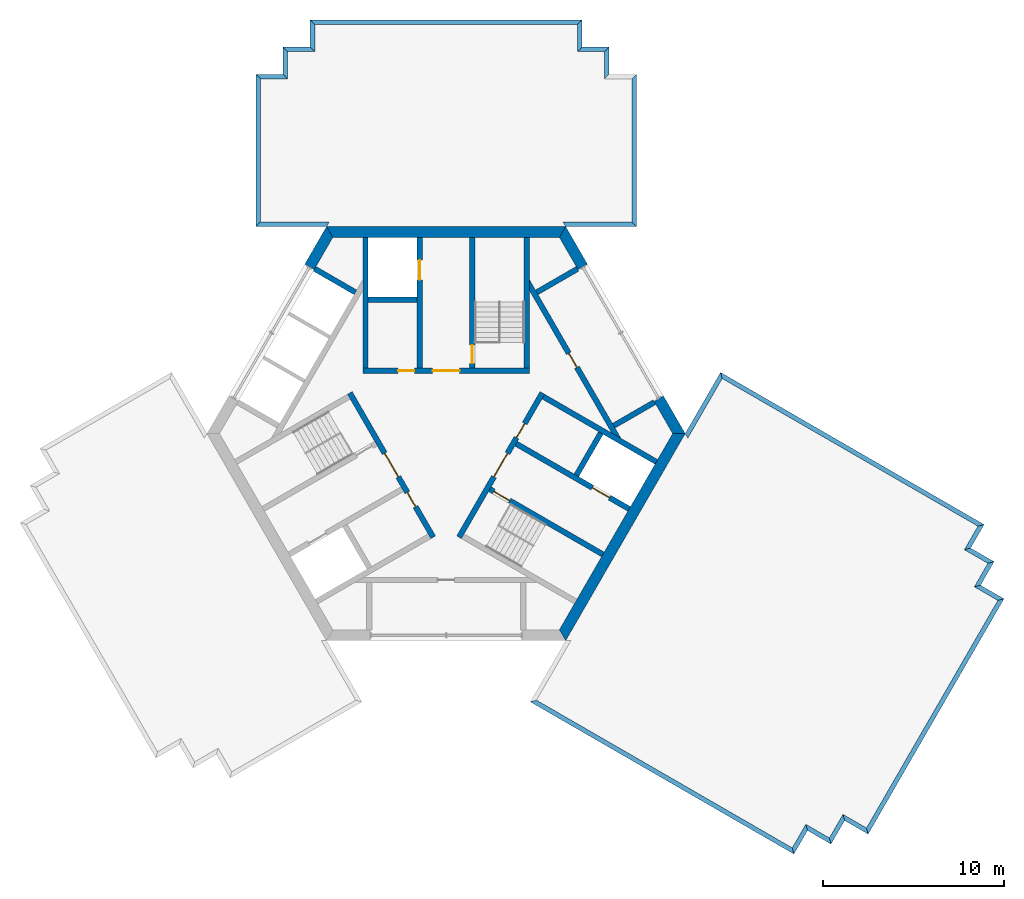
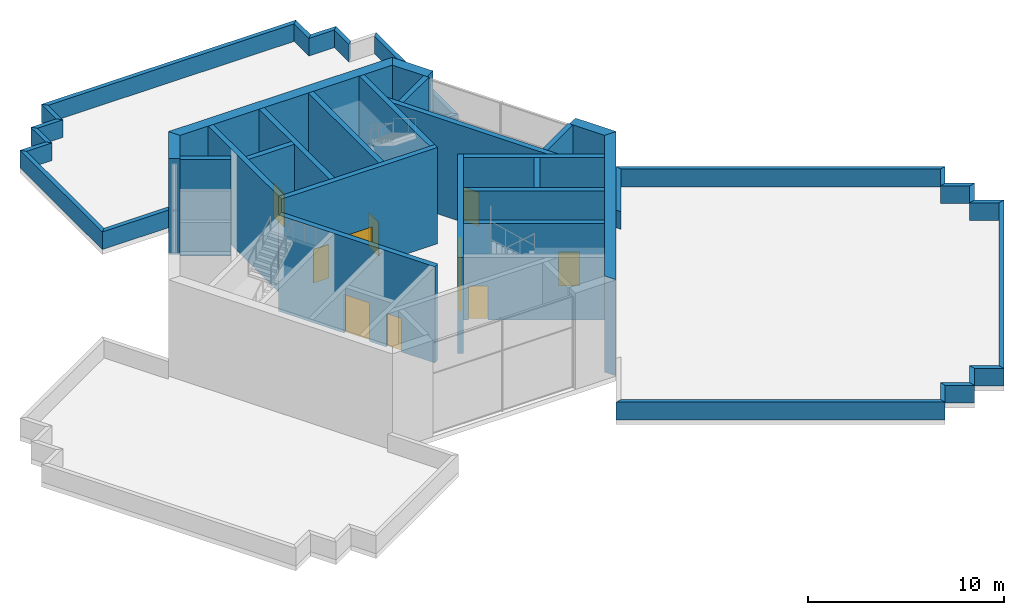
# One storey, part 3 of 5: 45 walls, 11 doors, 11 openings.
"""IFC4 building model written with IfcOpenShell, lengths in metres."""

from ifc_helpers import new_model, si_unit, direction, frame, frame_2d, origin, place, context, subcontext, project, spatial, polyline, rectangle, outline, extrude, material, layer, layer_set, type_object, element, fill, save


model = new_model("IFC4")

# Units and contexts
model_context = context("Model", 3, precision=1e-05, world=origin(), true_north=direction((0.0, 1.0)))
body_context = subcontext(model_context, "Body", "Model", "MODEL_VIEW")
ifc_project = project(units=[si_unit("LENGTHUNIT", "METRE"), si_unit("AREAUNIT", "SQUARE_METRE"), si_unit("VOLUMEUNIT", "CUBIC_METRE"), si_unit("PLANEANGLEUNIT", "RADIAN"), si_unit("MASSUNIT", "GRAM", prefix="KILO")], contexts=[model_context])

# Site, building, storey
site_placement = place(None, origin())
site = spatial("IfcSite", under=ifc_project, at=site_placement, CompositionType="ELEMENT")
building_placement = place(site_placement, origin())
building = spatial("IfcBuilding", under=site, at=building_placement, Name="Impinga Residences", CompositionType="ELEMENT")
storey_placement = place(building_placement, frame((0.0, 0.0, 295.75)))
storey = spatial("IfcBuildingStorey", under=building, at=storey_placement, Name="L74", CompositionType="ELEMENT", Elevation=295.75)

# Walls
ifc_material_1 = material(Name="Concrete C60/75", Category="concrete")
ifc_layer_1 = layer(ifc_material_1, 0.25)
ifc_layer_set_1 = layer_set([ifc_layer_1], Name="Concrete C60/75")
wall_type_1 = type_object("IfcWallType", Name="PA1 roof parapet 250", PredefinedType="PARAPET", material=ifc_layer_set_1)
wall_1_placement = place(storey_placement, origin())
element("IfcWall", 1, at=wall_1_placement, inside=storey, type_object=wall_type_1, Name="Parapet PA1 L74", PredefinedType="PARAPET", context=body_context, shape_type="SweptSolid", body=[
    extrude(outline(polyline([(28.94921875, -6.321533203125), (30.248291015625, -7.071533203125), (29.90673828125, -7.1630859375), (28.607666015625, -6.4130859375), (28.94921875, -6.321533203125)])), origin(), (0.0, 0.0, 1.0), 1.10009765625),
])
wall_2_placement = place(storey_placement, origin())
element("IfcWall", 2, at=wall_2_placement, inside=storey, type_object=wall_type_1, Name="Parapet PA1 L74", PredefinedType="PARAPET", context=body_context, shape_type="SweptSolid", body=[
    extrude(outline(polyline([(30.248291015625, -7.071533203125), (29.498291015625, -8.37060546875), (29.15673828125, -8.462158203125), (29.90673828125, -7.1630859375), (30.248291015625, -7.071533203125)])), origin(), (0.0, 0.0, 1.0), 1.10009765625),
])
wall_3_placement = place(storey_placement, origin())
element("IfcWall", 3, at=wall_3_placement, inside=storey, type_object=wall_type_1, Name="Parapet PA1 L74", PredefinedType="PARAPET", context=body_context, shape_type="SweptSolid", body=[
    extrude(outline(polyline([(29.498291015625, -8.37060546875), (30.79736328125, -9.12060546875), (30.455810546875, -9.212158203125), (29.15673828125, -8.462158203125), (29.498291015625, -8.37060546875)])), origin(), (0.0, 0.0, 1.0), 1.10009765625),
])
wall_4_placement = place(storey_placement, origin())
element("IfcWall", 4, at=wall_4_placement, inside=storey, type_object=wall_type_1, Name="Parapet PA1 L74", PredefinedType="PARAPET", context=body_context, shape_type="SweptSolid", body=[
    extrude(outline(polyline([(30.79736328125, -9.12060546875), (23.29736328125, -22.11083984375), (23.205810546875, -21.76953125), (30.455810546875, -9.212158203125), (30.79736328125, -9.12060546875)])), origin(), (0.0, 0.0, 1.0), 1.10009765625),
])
wall_5_placement = place(storey_placement, origin())
element("IfcWall", 5, at=wall_5_placement, inside=storey, type_object=wall_type_1, Name="Parapet PA1 L74", PredefinedType="PARAPET", context=body_context, shape_type="SweptSolid", body=[
    extrude(outline(polyline([(23.29736328125, -22.11083984375), (21.998291015625, -21.36083984375), (21.90673828125, -21.01953125), (23.205810546875, -21.76953125), (23.29736328125, -22.11083984375)])), origin(), (0.0, 0.0, 1.0), 1.10009765625),
])
wall_6_placement = place(storey_placement, origin())
element("IfcWall", 6, at=wall_6_placement, inside=storey, type_object=wall_type_1, Name="Parapet PA1 L74", PredefinedType="PARAPET", context=body_context, shape_type="SweptSolid", body=[
    extrude(outline(polyline([(21.998291015625, -21.36083984375), (21.248291015625, -22.659912109375), (21.15673828125, -22.318603515625), (21.90673828125, -21.01953125), (21.998291015625, -21.36083984375)])), origin(), (0.0, 0.0, 1.0), 1.10009765625),
])
wall_7_placement = place(storey_placement, origin())
element("IfcWall", 7, at=wall_7_placement, inside=storey, type_object=wall_type_1, Name="Parapet PA1 L74", PredefinedType="PARAPET", context=body_context, shape_type="SweptSolid", body=[
    extrude(outline(polyline([(21.248291015625, -22.659912109375), (19.94921875, -21.909912109375), (19.857666015625, -21.568603515625), (21.15673828125, -22.318603515625), (21.248291015625, -22.659912109375)])), origin(), (0.0, 0.0, 1.0), 1.10009765625),
])
wall_8_placement = place(storey_placement, origin())
element("IfcWall", 8, at=wall_8_placement, inside=storey, type_object=wall_type_1, Name="Parapet PA1 L74", PredefinedType="PARAPET", context=body_context, shape_type="SweptSolid", body=[
    extrude(outline(polyline([(19.94921875, -21.909912109375), (19.19921875, -23.208984375), (19.107666015625, -22.867431640625), (19.857666015625, -21.568603515625), (19.94921875, -21.909912109375)])), origin(), (0.0, 0.0, 1.0), 1.10009765625),
])
wall_9_placement = place(storey_placement, origin())
element("IfcWall", 9, at=wall_9_placement, inside=storey, type_object=wall_type_1, Name="Parapet PA1 L74", PredefinedType="PARAPET", context=body_context, shape_type="SweptSolid", body=[
    extrude(outline(polyline([(19.19921875, -23.208984375), (4.64990234375, -14.80908203125), (4.991455078125, -14.717529296875), (19.107666015625, -22.867431640625), (19.19921875, -23.208984375)])), origin(), (0.0, 0.0, 1.0), 1.10009765625),
])
wall_10_placement = place(storey_placement, origin())
element("IfcWall", 10, at=wall_10_placement, inside=storey, type_object=wall_type_1, Name="Parapet PA1 L74", PredefinedType="PARAPET", context=body_context, shape_type="SweptSolid", body=[
    extrude(outline(polyline([(13.20068359375, 0.0009765625), (15.14990234375, 3.37744140625), (15.241455078125, 3.035888671875), (13.344970703125, -0.2490234375), (13.20068359375, 0.0009765625)])), origin(), (0.0, 0.0, 1.0), 1.10009765625),
])
wall_11_placement = place(storey_placement, origin())
element("IfcWall", 11, at=wall_11_placement, inside=storey, type_object=wall_type_1, Name="Parapet PA1 L74", PredefinedType="PARAPET", context=body_context, shape_type="SweptSolid", body=[
    extrude(outline(polyline([(15.14990234375, 3.37744140625), (29.69921875, -5.0224609375), (29.357666015625, -5.114013671875), (15.241455078125, 3.035888671875), (15.14990234375, 3.37744140625)])), origin(), (0.0, 0.0, 1.0), 1.10009765625),
])
wall_12_placement = place(storey_placement, origin())
element("IfcWall", 12, at=wall_12_placement, inside=storey, type_object=wall_type_1, Name="Parapet PA1 L74", PredefinedType="PARAPET", context=body_context, shape_type="SweptSolid", body=[
    extrude(outline(polyline([(29.69921875, -5.0224609375), (28.94921875, -6.321533203125), (28.607666015625, -6.4130859375), (29.357666015625, -5.114013671875), (29.69921875, -5.0224609375)])), origin(), (0.0, 0.0, 1.0), 1.10009765625),
])
wall_13_placement = place(storey_placement, origin())
element("IfcWall", 13, at=wall_13_placement, inside=storey, type_object=wall_type_1, Name="Parapet PA1 L74", PredefinedType="PARAPET", context=body_context, shape_type="SweptSolid", body=[
    extrude(outline(polyline([(-10.5, 11.431640625), (-10.5, 19.83154296875), (-10.25, 19.58154296875), (-10.25, 11.681640625), (-10.5, 11.431640625)])), origin(), (0.0, 0.0, 1.0), 1.10009765625),
])
wall_14_placement = place(storey_placement, origin())
element("IfcWall", 14, at=wall_14_placement, inside=storey, type_object=wall_type_1, Name="Parapet PA1 L74", PredefinedType="PARAPET", context=body_context, shape_type="SweptSolid", body=[
    extrude(outline(polyline([(-10.5, 19.83154296875), (-9.0, 19.83154296875), (-8.75, 19.58154296875), (-10.25, 19.58154296875), (-10.5, 19.83154296875)])), origin(), (0.0, 0.0, 1.0), 1.10009765625),
])
wall_15_placement = place(storey_placement, origin())
element("IfcWall", 15, at=wall_15_placement, inside=storey, type_object=wall_type_1, Name="Parapet PA1 L74", PredefinedType="PARAPET", context=body_context, shape_type="SweptSolid", body=[
    extrude(outline(polyline([(-9.0, 19.83154296875), (-9.0, 21.33154296875), (-8.75, 21.08154296875), (-8.75, 19.58154296875), (-9.0, 19.83154296875)])), origin(), (0.0, 0.0, 1.0), 1.10009765625),
])
wall_16_placement = place(storey_placement, origin())
element("IfcWall", 16, at=wall_16_placement, inside=storey, type_object=wall_type_1, Name="Parapet PA1 L74", PredefinedType="PARAPET", context=body_context, shape_type="SweptSolid", body=[
    extrude(outline(polyline([(-9.0, 21.33154296875), (-7.5, 21.33154296875), (-7.25, 21.08154296875), (-8.75, 21.08154296875), (-9.0, 21.33154296875)])), origin(), (0.0, 0.0, 1.0), 1.10009765625),
])
wall_17_placement = place(storey_placement, origin())
element("IfcWall", 17, at=wall_17_placement, inside=storey, type_object=wall_type_1, Name="Parapet PA1 L74", PredefinedType="PARAPET", context=body_context, shape_type="SweptSolid", body=[
    extrude(outline(polyline([(-7.5, 21.33154296875), (-7.5, 22.83154296875), (-7.25, 22.58154296875), (-7.25, 21.08154296875), (-7.5, 21.33154296875)])), origin(), (0.0, 0.0, 1.0), 1.10009765625),
])
wall_18_placement = place(storey_placement, origin())
element("IfcWall", 18, at=wall_18_placement, inside=storey, type_object=wall_type_1, Name="Parapet PA1 L74", PredefinedType="PARAPET", context=body_context, shape_type="SweptSolid", body=[
    extrude(outline(polyline([(-7.5, 22.83154296875), (7.5, 22.83154296875), (7.25, 22.58154296875), (-7.25, 22.58154296875), (-7.5, 22.83154296875)])), origin(), (0.0, 0.0, 1.0), 1.10009765625),
])
wall_19_placement = place(storey_placement, origin())
element("IfcWall", 19, at=wall_19_placement, inside=storey, type_object=wall_type_1, Name="Parapet PA1 L74", PredefinedType="PARAPET", context=body_context, shape_type="SweptSolid", body=[
    extrude(outline(polyline([(7.5, 22.83154296875), (7.5, 21.33154296875), (7.25, 21.08154296875), (7.25, 22.58154296875), (7.5, 22.83154296875)])), origin(), (0.0, 0.0, 1.0), 1.10009765625),
])
wall_20_placement = place(storey_placement, origin())
element("IfcWall", 20, at=wall_20_placement, inside=storey, type_object=wall_type_1, Name="Parapet PA1 L74", PredefinedType="PARAPET", context=body_context, shape_type="SweptSolid", body=[
    extrude(outline(polyline([(7.5, 21.33154296875), (9.0, 21.33154296875), (8.75, 21.08154296875), (7.25, 21.08154296875), (7.5, 21.33154296875)])), origin(), (0.0, 0.0, 1.0), 1.10009765625),
])
wall_21_placement = place(storey_placement, origin())
element("IfcWall", 21, at=wall_21_placement, inside=storey, type_object=wall_type_1, Name="Parapet PA1 L74", PredefinedType="PARAPET", context=body_context, shape_type="SweptSolid", body=[
    extrude(outline(polyline([(9.0, 21.33154296875), (9.0, 19.83154296875), (8.75, 19.58154296875), (8.75, 21.08154296875), (9.0, 21.33154296875)])), origin(), (0.0, 0.0, 1.0), 1.10009765625),
])
wall_22_placement = place(storey_placement, origin())
element("IfcWall", 22, at=wall_22_placement, inside=storey, type_object=wall_type_1, Name="Parapet PA1 L74", PredefinedType="PARAPET", context=body_context, shape_type="SweptSolid", body=[
    extrude(outline(polyline([(10.5, 19.83154296875), (10.5, 11.431640625), (10.25, 11.681640625), (10.25, 19.58154296875), (10.5, 19.83154296875)])), origin(), (0.0, 0.0, 1.0), 1.10009765625),
])
wall_23_placement = place(storey_placement, origin())
element("IfcWall", 23, at=wall_23_placement, inside=storey, type_object=wall_type_1, Name="Parapet PA1 L74", PredefinedType="PARAPET", context=body_context, shape_type="SweptSolid", body=[
    extrude(outline(polyline([(10.5, 11.431640625), (6.60107421875, 11.431640625), (6.456787109375, 11.681640625), (10.25, 11.681640625), (10.5, 11.431640625)])), origin(), (0.0, 0.0, 1.0), 1.10009765625),
])
wall_24_placement = place(storey_placement, origin())
element("IfcWall", 24, at=wall_24_placement, inside=storey, type_object=wall_type_1, Name="Parapet PA1 L74", PredefinedType="PARAPET", context=body_context, shape_type="SweptSolid", body=[
    extrude(outline(polyline([(-6.60107421875, 11.431640625), (-10.5, 11.431640625), (-10.25, 11.681640625), (-6.456787109375, 11.681640625), (-6.60107421875, 11.431640625)])), origin(), (0.0, 0.0, 1.0), 1.10009765625),
])
ifc_layer_2 = layer(ifc_material_1, 0.60009765625)
ifc_layer_set_2 = layer_set([ifc_layer_2], Name="Concrete C60/75")
wall_type_2 = type_object("IfcWallType", Name="SW4 core wall, crown 600", PredefinedType="SHEAR", material=ifc_layer_set_2)
wall_25_placement = place(storey_placement, origin())
element("IfcWall", 25, at=wall_25_placement, inside=storey, type_object=wall_type_2, Name="Core wall SW4 N:FACE L74", PredefinedType="SHEAR", context=body_context, shape_type="SweptSolid", body=[
    extrude(outline(polyline([(-6.60009765625, 11.431640625), (6.60009765625, 11.431640625), (6.253662109375, 10.83154296875), (-6.253662109375, 10.83154296875), (-6.60009765625, 11.431640625)])), origin(), (0.0, 0.0, 1.0), 6.0),
])
wall_26_placement = place(storey_placement, origin())
element("IfcWall", 26, at=wall_26_placement, inside=storey, type_object=wall_type_2, Name="Core wall SW4 E:FACE L74", PredefinedType="SHEAR", context=body_context, shape_type="SweptSolid", body=[
    extrude(outline(polyline([(13.199951171875, 0.0), (6.60009765625, -11.431640625), (6.253662109375, -10.83154296875), (12.507080078125, 0.0), (13.199951171875, 0.0)])), origin(), (0.0, 0.0, 1.0), 6.0),
])
wall_27_placement = place(storey_placement, origin())
element("IfcWall", 27, at=wall_27_placement, inside=storey, type_object=wall_type_2, Name="Core wall SW4 W:EXPOSED:1 L74", PredefinedType="SHEAR", context=body_context, shape_type="SweptSolid", body=[
    extrude(outline(polyline([(13.199951171875, 0.0), (12.0, 2.078369140625), (11.48046875, 1.778564453125), (12.507080078125, 0.0), (13.199951171875, 0.0)])), origin(), (0.0, 0.0, 1.0), 6.0),
])
wall_28_placement = place(storey_placement, origin())
element("IfcWall", 28, at=wall_28_placement, inside=storey, type_object=wall_type_2, Name="Core wall SW4 W:EXPOSED:2 L74", PredefinedType="SHEAR", context=body_context, shape_type="SweptSolid", body=[
    extrude(outline(polyline([(7.800048828125, 9.35302734375), (6.60009765625, 11.431640625), (6.253662109375, 10.83154296875), (7.2802734375, 9.052978515625), (7.800048828125, 9.35302734375)])), origin(), (0.0, 0.0, 1.0), 6.0),
])
wall_29_placement = place(storey_placement, origin())
element("IfcWall", 29, at=wall_29_placement, inside=storey, type_object=wall_type_2, Name="Core wall SW4 E:EXPOSED:1 L74", PredefinedType="SHEAR", context=body_context, shape_type="SweptSolid", body=[
    extrude(outline(polyline([(-6.60009765625, 11.431640625), (-7.800048828125, 9.35302734375), (-7.2802734375, 9.052978515625), (-6.253662109375, 10.83154296875), (-6.60009765625, 11.431640625)])), origin(), (0.0, 0.0, 1.0), 6.0),
])

# Wall, openings, doors
ifc_material_2 = material(Name="Concrete C70/85", Category="concrete")
ifc_layer_3 = layer(ifc_material_2, 0.300048828125)
ifc_layer_set_3 = layer_set([ifc_layer_3], Name="Concrete C70/85")
wall_type_3 = type_object("IfcWallType", Name="SW5 core inner wall, stairs, shafts and lobbies 300", PredefinedType="SHEAR", material=ifc_layer_set_3)
wall_30_placement = place(storey_placement, frame((-4.60009765625, 3.47998046875, 0.0), z_axis=(0.0, 0.0, 1.0), x_axis=(1.0, 0.0, 0.0)))
wall_30 = element("IfcWall", 30, at=wall_30_placement, inside=storey, type_object=wall_type_3, Name="Core wall SW5 N:ZONE L74", PredefinedType="SHEAR", context=body_context, shape_type="SweptSolid", body=[
    extrude(rectangle(XDim=9.2001953125, YDim=0.300048828125, at=frame_2d((4.60009765625, 0.0))), origin(), (0.0, 0.0, 1.0), 6.0),
])
opening_1_placement = place(wall_30_placement, frame((3.85009765625, 0.0, 0.0)))
opening_1 = element("IfcOpeningElement", 31, at=opening_1_placement, cuts=wall_30, Name="Opening D8", PredefinedType="OPENING", context=body_context, shape_type="SweptSolid", body=[
    extrude(rectangle(XDim=1.5, YDim=2.39990234375, at=frame_2d((0.75, 1.199951171875))), frame((0.0, 0.159912109375, 0.0), z_axis=(0.0, -1.0, 0.0), x_axis=(1.0, 0.0, 0.0)), (0.0, 0.0, 1.0), 0.320068359375),
])
opening_2_placement = place(wall_30_placement, frame((1.949951171875, 0.0, 0.0)))
opening_2 = element("IfcOpeningElement", 32, at=opening_2_placement, cuts=wall_30, Name="Opening D6", PredefinedType="OPENING", context=body_context, shape_type="SweptSolid", body=[
    extrude(rectangle(XDim=0.89990234375, YDim=2.10009765625, at=frame_2d((0.449951171875, 1.050048828125))), frame((0.0, 0.159912109375, 0.0), z_axis=(0.0, -1.0, 0.0), x_axis=(1.0, 0.0, 0.0)), (0.0, 0.0, 1.0), 0.320068359375),
])
ifc_material_3 = material(Name="Timber door set", Category="wood")
door_type_1 = type_object("IfcDoorType", Name="D6 riser and store door 900x2100", OperationType="SINGLE_SWING_LEFT", PredefinedType="DOOR", material=ifc_material_3)
door_1_placement = place(opening_2_placement, origin())
door_1 = element("IfcDoor", 33, at=door_1_placement, inside=storey, type_object=door_type_1, Name="Riser door N", OperationType="SINGLE_SWING_LEFT", OverallHeight=2.10009765625, OverallWidth=0.89990234375, PredefinedType="DOOR", context=body_context, shape_type="SweptSolid", body=[
    extrude(rectangle(XDim=0.89990234375, YDim=2.10009765625, at=frame_2d((0.449951171875, 1.050048828125))), frame((0.0, 0.02490234375, 0.0), z_axis=(0.0, -1.0, 0.0), x_axis=(1.0, 0.0, 0.0)), (0.0, 0.0, 1.0), 0.050048828125),
])
fill(opening_2, door_1)
door_type_2 = type_object("IfcDoorType", Name="D8 plant room door pair 1500x2400", OperationType="DOUBLE_DOOR_DOUBLE_SWING", PredefinedType="DOOR", material=ifc_material_3)
door_2_placement = place(opening_1_placement, origin())
door_2 = element("IfcDoor", 34, at=door_2_placement, inside=storey, type_object=door_type_2, Name="Plant room door pair N", OperationType="DOUBLE_DOOR_DOUBLE_SWING", OverallHeight=2.39990234375, OverallWidth=1.5, PredefinedType="DOOR", context=body_context, shape_type="SweptSolid", body=[
    extrude(rectangle(XDim=1.5, YDim=2.39990234375, at=frame_2d((0.75, 1.199951171875))), frame((0.0, 0.02490234375, 0.0), z_axis=(0.0, -1.0, 0.0), x_axis=(1.0, 0.0, 0.0)), (0.0, 0.0, 1.0), 0.050048828125),
])
fill(opening_1, door_2)

# Wall, opening, door
wall_31_placement = place(storey_placement, frame((1.449951171875, 3.6298828125, 0.0), z_axis=(0.0, 0.0, 1.0), x_axis=(0.0, 1.0, 0.0)))
wall_31 = element("IfcWall", 35, at=wall_31_placement, inside=storey, type_object=wall_type_3, Name="Core wall SW5 N:ST-IN L74", PredefinedType="SHEAR", context=body_context, shape_type="SweptSolid", body=[
    extrude(rectangle(XDim=7.20166015625, YDim=0.300048828125, at=frame_2d((3.600830078125, 0.0))), origin(), (0.0, 0.0, 1.0), 6.0),
])
opening_3_placement = place(wall_31_placement, frame((0.25, 0.0, 0.0)))
opening_3 = element("IfcOpeningElement", 36, at=opening_3_placement, cuts=wall_31, Name="Opening D5", PredefinedType="OPENING", context=body_context, shape_type="SweptSolid", body=[
    extrude(rectangle(XDim=1.0, YDim=2.10009765625, at=frame_2d((0.5, 1.050048828125))), frame((0.0, 0.159912109375, 0.0), z_axis=(0.0, -1.0, 0.0), x_axis=(1.0, 0.0, 0.0)), (0.0, 0.0, 1.0), 0.320068359375),
])
door_type_3 = type_object("IfcDoorType", Name="D5 stair door 1000x2100", OperationType="SINGLE_SWING_LEFT", PredefinedType="DOOR", material=ifc_material_3)
door_3_placement = place(opening_3_placement, origin())
door_3 = element("IfcDoor", 37, at=door_3_placement, inside=storey, type_object=door_type_3, Name="Stair door N", OperationType="SINGLE_SWING_LEFT", OverallHeight=2.10009765625, OverallWidth=1.0, PredefinedType="DOOR", context=body_context, shape_type="SweptSolid", body=[
    extrude(rectangle(XDim=1.0, YDim=2.10009765625, at=frame_2d((0.5, 1.050048828125))), frame((0.0, 0.02490234375, 0.0), z_axis=(0.0, -1.0, 0.0), x_axis=(1.0, 0.0, 0.0)), (0.0, 0.0, 1.0), 0.050048828125),
])
fill(opening_3, door_3)

# Wall
wall_32_placement = place(storey_placement, frame((4.449951171875, 3.6298828125, 0.0), z_axis=(0.0, 0.0, 1.0), x_axis=(0.0, 1.0, 0.0)))
element("IfcWall", 38, at=wall_32_placement, inside=storey, type_object=wall_type_3, Name="Core wall SW5 N:ST-OUT L74", PredefinedType="SHEAR", context=body_context, shape_type="SweptSolid", body=[
    extrude(rectangle(XDim=7.20166015625, YDim=0.300048828125, at=frame_2d((3.600830078125, 0.0))), origin(), (0.0, 0.0, 1.0), 6.0),
])

# Wall, opening, door
wall_33_placement = place(storey_placement, frame((-1.449951171875, 3.6298828125, 0.0), z_axis=(0.0, 0.0, 1.0), x_axis=(0.0, 1.0, 0.0)))
wall_33 = element("IfcWall", 39, at=wall_33_placement, inside=storey, type_object=wall_type_3, Name="Core wall SW5 N:FF-IN L74", PredefinedType="SHEAR", context=body_context, shape_type="SweptSolid", body=[
    extrude(rectangle(XDim=7.20166015625, YDim=0.300048828125, at=frame_2d((3.600830078125, 0.0))), origin(), (0.0, 0.0, 1.0), 6.0),
])
opening_4_placement = place(wall_33_placement, frame((4.85009765625, 0.0, 0.0)))
opening_4 = element("IfcOpeningElement", 40, at=opening_4_placement, cuts=wall_33, Name="Opening LD2", PredefinedType="OPENING", context=body_context, shape_type="SweptSolid", body=[
    extrude(rectangle(XDim=1.10009765625, YDim=2.10009765625, at=frame_2d((0.550048828125, 1.050048828125))), frame((0.0, 0.159912109375, 0.0), z_axis=(0.0, -1.0, 0.0), x_axis=(1.0, 0.0, 0.0)), (0.0, 0.0, 1.0), 0.320068359375),
])
ifc_material_4 = material(Name="Steel lift landing door", Category="steel")
door_type_4 = type_object("IfcDoorType", Name="LD2 firefighting lift landing door 1100x2100", OperationType="DOUBLE_DOOR_SLIDING", PredefinedType="DOOR", material=ifc_material_4)
door_4_placement = place(opening_4_placement, origin())
door_4 = element("IfcDoor", 41, at=door_4_placement, inside=storey, type_object=door_type_4, Name="Firefighting lift landing door F1", OperationType="DOUBLE_DOOR_SLIDING", OverallHeight=2.10009765625, OverallWidth=1.10009765625, PredefinedType="DOOR", context=body_context, shape_type="SweptSolid", body=[
    extrude(rectangle(XDim=1.10009765625, YDim=2.10009765625, at=frame_2d((0.550048828125, 1.050048828125))), frame((0.0, 0.02490234375, 0.0), z_axis=(0.0, -1.0, 0.0), x_axis=(1.0, 0.0, 0.0)), (0.0, 0.0, 1.0), 0.050048828125),
])
fill(opening_4, door_4)

# Walls
wall_34_placement = place(storey_placement, frame((-4.449951171875, 3.6298828125, 0.0), z_axis=(0.0, 0.0, 1.0), x_axis=(0.0, 1.0, 0.0)))
element("IfcWall", 42, at=wall_34_placement, inside=storey, type_object=wall_type_3, Name="Core wall SW5 N:FF-OUT L74", PredefinedType="SHEAR", context=body_context, shape_type="SweptSolid", body=[
    extrude(rectangle(XDim=7.20166015625, YDim=0.300048828125, at=frame_2d((3.600830078125, 0.0))), origin(), (0.0, 0.0, 1.0), 6.0),
])
wall_35_placement = place(storey_placement, frame((-4.300048828125, 7.3798828125, 0.0), z_axis=(0.0, 0.0, 1.0), x_axis=(1.0, 0.0, 0.0)))
element("IfcWall", 43, at=wall_35_placement, inside=storey, type_object=wall_type_3, Name="Core wall SW5 N:FF-RS L74", PredefinedType="SHEAR", context=body_context, shape_type="SweptSolid", body=[
    extrude(rectangle(XDim=2.699951171875, YDim=0.300048828125, at=frame_2d((1.35009765625, 0.0))), origin(), (0.0, 0.0, 1.0), 6.0),
])

# Wall, openings, doors
wall_36_placement = place(storey_placement, frame((-0.7138671875, -5.7236328125, 0.0), z_axis=(0.0, 0.0, 1.0), x_axis=(-0.499995050369, 0.866028261437, 0.0)))
wall_36 = element("IfcWall", 44, at=wall_36_placement, inside=storey, type_object=wall_type_3, Name="Core wall SW5 W:ZONE L74", PredefinedType="SHEAR", context=body_context, shape_type="SweptSolid", body=[
    extrude(rectangle(XDim=9.19970703125, YDim=0.300048828125, at=frame_2d((4.599853515625, 0.0))), origin(), (0.0, 0.0, 1.0), 6.0),
])
opening_5_placement = place(wall_36_placement, frame((3.85009765625, 0.0, 0.0)))
opening_5 = element("IfcOpeningElement", 45, at=opening_5_placement, cuts=wall_36, Name="Opening D8", PredefinedType="OPENING", context=body_context, shape_type="SweptSolid", body=[
    extrude(rectangle(XDim=1.5, YDim=2.39990234375, at=frame_2d((0.75, 1.199951171875))), frame((0.0, 0.159912109375, 0.0), z_axis=(0.0, -1.0, 0.0), x_axis=(1.0, 0.0, 0.0)), (0.0, 0.0, 1.0), 0.320068359375),
])
opening_6_placement = place(wall_36_placement, frame((1.949951171875, 0.0, 0.0)))
opening_6 = element("IfcOpeningElement", 46, at=opening_6_placement, cuts=wall_36, Name="Opening D6", PredefinedType="OPENING", context=body_context, shape_type="SweptSolid", body=[
    extrude(rectangle(XDim=0.89990234375, YDim=2.10009765625, at=frame_2d((0.449951171875, 1.050048828125))), frame((0.0, 0.159912109375, 0.0), z_axis=(0.0, -1.0, 0.0), x_axis=(1.0, 0.0, 0.0)), (0.0, 0.0, 1.0), 0.320068359375),
])
door_5_placement = place(opening_6_placement, origin())
door_5 = element("IfcDoor", 47, at=door_5_placement, inside=storey, type_object=door_type_1, Name="Riser door W", OperationType="SINGLE_SWING_LEFT", OverallHeight=2.10009765625, OverallWidth=0.89990234375, PredefinedType="DOOR", context=body_context, shape_type="SweptSolid", body=[
    extrude(rectangle(XDim=0.89990234375, YDim=2.10009765625, at=frame_2d((0.449951171875, 1.050048828125))), frame((0.0, 0.02490234375, 0.0), z_axis=(0.0, -1.0, 0.0), x_axis=(1.0, 0.0, 0.0)), (0.0, 0.0, 1.0), 0.050048828125),
])
fill(opening_6, door_5)
door_6_placement = place(opening_5_placement, origin())
door_6 = element("IfcDoor", 48, at=door_6_placement, inside=storey, type_object=door_type_2, Name="Plant room door pair W", OperationType="DOUBLE_DOOR_DOUBLE_SWING", OverallHeight=2.39990234375, OverallWidth=1.5, PredefinedType="DOOR", context=body_context, shape_type="SweptSolid", body=[
    extrude(rectangle(XDim=1.5, YDim=2.39990234375, at=frame_2d((0.75, 1.199951171875))), frame((0.0, 0.02490234375, 0.0), z_axis=(0.0, -1.0, 0.0), x_axis=(1.0, 0.0, 0.0)), (0.0, 0.0, 1.0), 0.050048828125),
])
fill(opening_5, door_6)

wall_37_placement = place(storey_placement, frame((5.313720703125, 2.24365234375, 0.0), z_axis=(0.0, 0.0, 1.0), x_axis=(-0.499995050369, -0.866028261437, 0.0)))
wall_37 = element("IfcWall", 49, at=wall_37_placement, inside=storey, type_object=wall_type_3, Name="Core wall SW5 E:ZONE L74", PredefinedType="SHEAR", context=body_context, shape_type="SweptSolid", body=[
    extrude(rectangle(XDim=9.19970703125, YDim=0.300048828125, at=frame_2d((4.599853515625, 0.0))), origin(), (0.0, 0.0, 1.0), 6.0),
])
opening_7_placement = place(wall_37_placement, frame((3.85009765625, 0.0, 0.0)))
opening_7 = element("IfcOpeningElement", 50, at=opening_7_placement, cuts=wall_37, Name="Opening D8", PredefinedType="OPENING", context=body_context, shape_type="SweptSolid", body=[
    extrude(rectangle(XDim=1.5, YDim=2.39990234375, at=frame_2d((0.75, 1.199951171875))), frame((0.0, 0.159912109375, 0.0), z_axis=(0.0, -1.0, 0.0), x_axis=(1.0, 0.0, 0.0)), (0.0, 0.0, 1.0), 0.320068359375),
])
opening_8_placement = place(wall_37_placement, frame((1.949951171875, 0.0, 0.0)))
opening_8 = element("IfcOpeningElement", 51, at=opening_8_placement, cuts=wall_37, Name="Opening D6", PredefinedType="OPENING", context=body_context, shape_type="SweptSolid", body=[
    extrude(rectangle(XDim=0.89990234375, YDim=2.10009765625, at=frame_2d((0.449951171875, 1.050048828125))), frame((0.0, 0.159912109375, 0.0), z_axis=(0.0, -1.0, 0.0), x_axis=(1.0, 0.0, 0.0)), (0.0, 0.0, 1.0), 0.320068359375),
])
door_7_placement = place(opening_8_placement, origin())
door_7 = element("IfcDoor", 52, at=door_7_placement, inside=storey, type_object=door_type_1, Name="Riser door E", OperationType="SINGLE_SWING_LEFT", OverallHeight=2.10009765625, OverallWidth=0.89990234375, PredefinedType="DOOR", context=body_context, shape_type="SweptSolid", body=[
    extrude(rectangle(XDim=0.89990234375, YDim=2.10009765625, at=frame_2d((0.449951171875, 1.050048828125))), frame((0.0, 0.02490234375, 0.0), z_axis=(0.0, -1.0, 0.0), x_axis=(1.0, 0.0, 0.0)), (0.0, 0.0, 1.0), 0.050048828125),
])
fill(opening_8, door_7)
door_8_placement = place(opening_7_placement, origin())
door_8 = element("IfcDoor", 53, at=door_8_placement, inside=storey, type_object=door_type_2, Name="Plant room door pair E", OperationType="DOUBLE_DOOR_DOUBLE_SWING", OverallHeight=2.39990234375, OverallWidth=1.5, PredefinedType="DOOR", context=body_context, shape_type="SweptSolid", body=[
    extrude(rectangle(XDim=1.5, YDim=2.39990234375, at=frame_2d((0.75, 1.199951171875))), frame((0.0, 0.02490234375, 0.0), z_axis=(0.0, -1.0, 0.0), x_axis=(1.0, 0.0, 0.0)), (0.0, 0.0, 1.0), 0.050048828125),
])
fill(opening_7, door_8)

# Wall, opening, door
wall_38_placement = place(storey_placement, frame((2.418701171875, -3.07080078125, 0.0), z_axis=(0.0, 0.0, 1.0), x_axis=(0.86603146111, -0.499989508258, 0.0)))
wall_38 = element("IfcWall", 54, at=wall_38_placement, inside=storey, type_object=wall_type_3, Name="Core wall SW5 E:ST-IN L74", PredefinedType="SHEAR", context=body_context, shape_type="SweptSolid", body=[
    extrude(rectangle(XDim=7.201416015625, YDim=0.300048828125, at=frame_2d((3.6005859375, 0.0))), origin(), (0.0, 0.0, 1.0), 6.0),
])
opening_9_placement = place(wall_38_placement, frame((0.25, 0.0, 0.0)))
opening_9 = element("IfcOpeningElement", 55, at=opening_9_placement, cuts=wall_38, Name="Opening D5", PredefinedType="OPENING", context=body_context, shape_type="SweptSolid", body=[
    extrude(rectangle(XDim=1.0, YDim=2.10009765625, at=frame_2d((0.5, 1.050048828125))), frame((0.0, 0.159912109375, 0.0), z_axis=(0.0, -1.0, 0.0), x_axis=(1.0, 0.0, 0.0)), (0.0, 0.0, 1.0), 0.320068359375),
])
door_9_placement = place(opening_9_placement, origin())
door_9 = element("IfcDoor", 56, at=door_9_placement, inside=storey, type_object=door_type_3, Name="Stair door E", OperationType="SINGLE_SWING_LEFT", OverallHeight=2.10009765625, OverallWidth=1.0, PredefinedType="DOOR", context=body_context, shape_type="SweptSolid", body=[
    extrude(rectangle(XDim=1.0, YDim=2.10009765625, at=frame_2d((0.5, 1.050048828125))), frame((0.0, 0.02490234375, 0.0), z_axis=(0.0, -1.0, 0.0), x_axis=(1.0, 0.0, 0.0)), (0.0, 0.0, 1.0), 0.050048828125),
])
fill(opening_9, door_9)

wall_39_placement = place(storey_placement, frame((3.86865234375, -0.559326171875, 0.0), z_axis=(0.0, 0.0, 1.0), x_axis=(0.866039935929, -0.499974828743, 0.0)))
wall_39 = element("IfcWall", 57, at=wall_39_placement, inside=storey, type_object=wall_type_3, Name="Core wall SW5 E:FF-IN L74", PredefinedType="SHEAR", context=body_context, shape_type="SweptSolid", body=[
    extrude(rectangle(XDim=7.201416015625, YDim=0.300048828125, at=frame_2d((3.6005859375, 0.0))), origin(), (0.0, 0.0, 1.0), 6.0),
])
opening_10_placement = place(wall_39_placement, frame((4.85009765625, 0.0, 0.0)))
opening_10 = element("IfcOpeningElement", 58, at=opening_10_placement, cuts=wall_39, Name="Opening LD2", PredefinedType="OPENING", context=body_context, shape_type="SweptSolid", body=[
    extrude(rectangle(XDim=1.10009765625, YDim=2.10009765625, at=frame_2d((0.550048828125, 1.050048828125))), frame((0.0, 0.159912109375, 0.0), z_axis=(0.0, -1.0, 0.0), x_axis=(1.0, 0.0, 0.0)), (0.0, 0.0, 1.0), 0.320068359375),
])
door_10_placement = place(opening_10_placement, origin())
door_10 = element("IfcDoor", 59, at=door_10_placement, inside=storey, type_object=door_type_4, Name="Firefighting lift landing door F3", OperationType="DOUBLE_DOOR_SLIDING", OverallHeight=2.10009765625, OverallWidth=1.10009765625, PredefinedType="DOOR", context=body_context, shape_type="SweptSolid", body=[
    extrude(rectangle(XDim=1.10009765625, YDim=2.10009765625, at=frame_2d((0.550048828125, 1.050048828125))), frame((0.0, 0.02490234375, 0.0), z_axis=(0.0, -1.0, 0.0), x_axis=(1.0, 0.0, 0.0)), (0.0, 0.0, 1.0), 0.050048828125),
])
fill(opening_10, door_10)

# Walls
wall_40_placement = place(storey_placement, frame((5.36865234375, 2.038818359375, 0.0), z_axis=(0.0, 0.0, 1.0), x_axis=(0.866025256649, -0.500000254847, 0.0)))
element("IfcWall", 60, at=wall_40_placement, inside=storey, type_object=wall_type_3, Name="Core wall SW5 E:FF-OUT L74", PredefinedType="SHEAR", context=body_context, shape_type="SweptSolid", body=[
    extrude(rectangle(XDim=7.20166015625, YDim=0.300048828125, at=frame_2d((3.600830078125, 0.0))), origin(), (0.0, 0.0, 1.0), 6.0),
])
wall_41_placement = place(storey_placement, frame((8.541259765625, 0.033935546875, 0.0), z_axis=(0.0, 0.0, 1.0), x_axis=(-0.50000943426, -0.866019956843, 0.0)))
element("IfcWall", 61, at=wall_41_placement, inside=storey, type_object=wall_type_3, Name="Core wall SW5 E:FF-RS L74", PredefinedType="SHEAR", context=body_context, shape_type="SweptSolid", body=[
    extrude(rectangle(XDim=2.7001953125, YDim=0.300048828125, at=frame_2d((1.35009765625, 0.0))), origin(), (0.0, 0.0, 1.0), 6.0),
])

# Wall, opening, door
wall_42_placement = place(storey_placement, frame((4.449951171875, 8.455322265625, 0.0), z_axis=(0.0, 0.0, 1.0), x_axis=(0.500002290144, -0.866024081565, 0.0)))
wall_42 = element("IfcWall", 62, at=wall_42_placement, inside=storey, type_object=wall_type_3, Name="Core wall SW5 W:BANK-FRONT L74", PredefinedType="SHEAR", context=body_context, shape_type="SweptSolid", body=[
    extrude(rectangle(XDim=10.1953125, YDim=0.300048828125, at=frame_2d((5.09765625, 0.0))), origin(), (0.0, 0.0, 1.0), 6.0),
])
opening_11_placement = place(wall_42_placement, frame((4.647705078125, 0.0, 0.0)))
opening_11 = element("IfcOpeningElement", 63, at=opening_11_placement, cuts=wall_42, Name="Opening D6", PredefinedType="OPENING", context=body_context, shape_type="SweptSolid", body=[
    extrude(rectangle(XDim=0.89990234375, YDim=2.10009765625, at=frame_2d((0.449951171875, 1.050048828125))), frame((0.0, 0.159912109375, 0.0), z_axis=(0.0, -1.0, 0.0), x_axis=(1.0, 0.0, 0.0)), (0.0, 0.0, 1.0), 0.320068359375),
])
door_11_placement = place(opening_11_placement, origin())
door_11 = element("IfcDoor", 64, at=door_11_placement, inside=storey, type_object=door_type_1, Name="Pressurisation fan plant room door", OperationType="SINGLE_SWING_RIGHT", OverallHeight=2.10009765625, OverallWidth=0.89990234375, PredefinedType="DOOR", context=body_context, shape_type="SweptSolid", body=[
    extrude(rectangle(XDim=0.89990234375, YDim=2.10009765625, at=frame_2d((0.449951171875, 1.050048828125))), frame((0.0, 0.02490234375, 0.0), z_axis=(0.0, -1.0, 0.0), x_axis=(1.0, 0.0, 0.0)), (0.0, 0.0, 1.0), 0.050048828125),
])
fill(opening_11, door_11)

# Walls
for number, where, z_axis, x_axis, name in (
    (65, (5.003662109375, 7.79638671875, 0.0), (0.0, 0.0, 1.0), (0.866021400173, 0.500006934395, 0.0), "Core wall SW5 W:BANK-L L74"),
    (66, (9.253662109375, 0.43505859375, 0.0), (0.0, 0.0, 1.0), (0.866021400173, 0.500006934395, 0.0), "Core wall SW5 W:BANK-R L74"),
    (67, (-5.003662109375, 7.79638671875, 0.0), (0.0, 0.0, 1.0), (-0.866021400173, 0.500006934395, 0.0), "Core wall SW5 E:BANK-R L74"),
):
    element("IfcWall", number, at=place(storey_placement, frame(where, z_axis=z_axis, x_axis=x_axis)), inside=storey, type_object=wall_type_3, Name=name, PredefinedType="SHEAR", context=body_context, shape_type="SweptSolid", body=[
        extrude(rectangle(XDim=2.60009765625, YDim=0.300048828125, at=frame_2d((1.300048828125, 0.0))), origin(), (0.0, 0.0, 1.0), 6.0),
    ])

save(model, "model.ifc")
